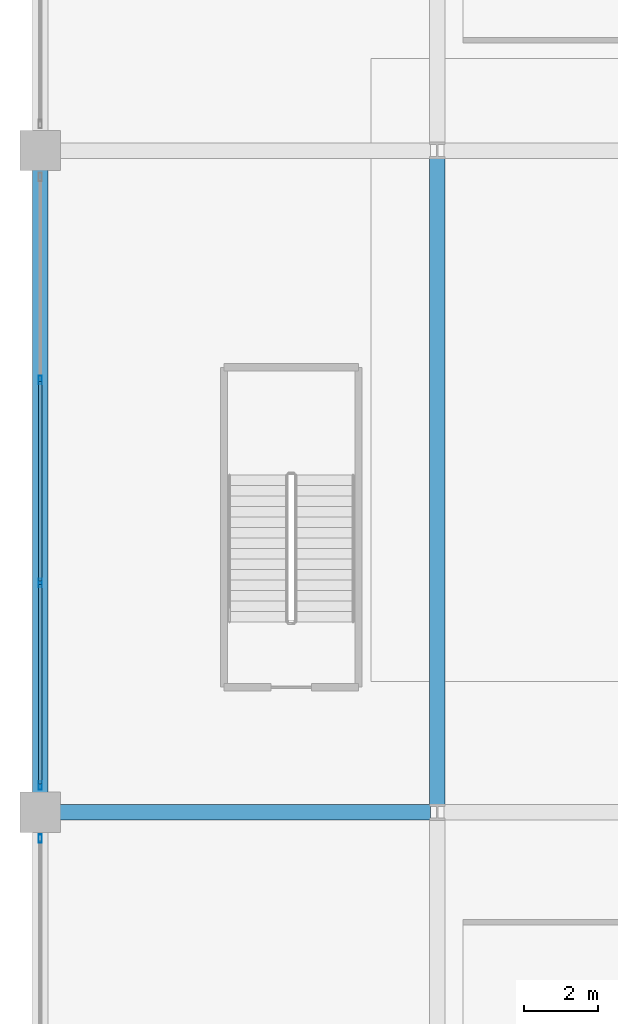
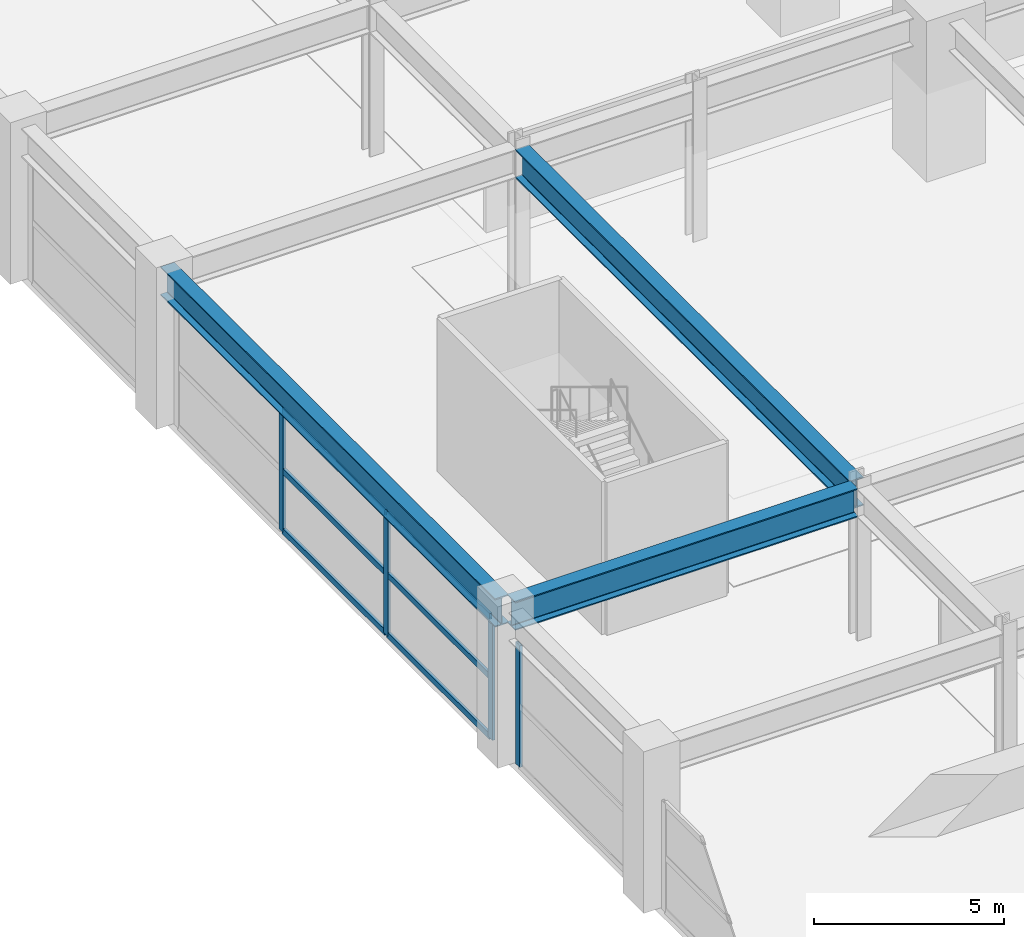
# One storey, part 9 of 45: 10 members, 3 beams, 2 elements without a shape of their own.
"""IFC4 building model written with IfcOpenShell, lengths in metres."""

from ifc_helpers import new_model, si_unit, direction, frame, origin, origin_2d, place, context, subcontext, project, spatial, hollow_rectangle, i_section, extrude, material, material_profile, profile_set, type_object, element, aggregate, save


model = new_model("IFC4")

# Units and contexts
model_context = context("Model", 3, precision=1e-05, world=origin(), true_north=direction((0.0, 1.0)))
body_context = subcontext(model_context, "Body", "Model", "MODEL_VIEW")
ifc_project = project(units=[si_unit("LENGTHUNIT", "METRE"), si_unit("AREAUNIT", "SQUARE_METRE"), si_unit("VOLUMEUNIT", "CUBIC_METRE"), si_unit("PLANEANGLEUNIT", "RADIAN"), si_unit("MASSUNIT", "GRAM", prefix="KILO")], contexts=[model_context])

# Site, building, storey
site_placement = place(None, origin())
site = spatial("IfcSite", under=ifc_project, at=site_placement, CompositionType="ELEMENT")
building_placement = place(site_placement, origin())
building = spatial("IfcBuilding", under=site, at=building_placement, Name="Kovane Verandah Tower", CompositionType="ELEMENT")
storey_placement = place(building_placement, frame((0.0, 0.0, 6.0)))
storey = spatial("IfcBuildingStorey", under=building, at=storey_placement, Name="L01", CompositionType="ELEMENT", Elevation=6.0)

# Beams
ifc_material_1 = material(Name="Steel S460", Category="steel")
ifc_material_profile_1 = material_profile(ifc_material_1, i_section(OverallWidth=0.42041015625, OverallDepth=0.9208984375, WebThickness=0.021484375, FlangeThickness=0.03662109375, FilletRadius=0.024169921875, at=origin_2d()), Name="UB914x419x388")
ifc_profile_set_1 = profile_set([ifc_material_profile_1], Name="Steel S460")
beam_type = type_object("IfcBeamType", Name="BM-UB914x388", PredefinedType="BEAM", material=ifc_profile_set_1)
beam_placement = place(storey_placement, frame((-1.820068359375, 18.5, 4.439453125), z_axis=(1.0, 0.0, 0.0), x_axis=(0.0, 1.0, 0.0)))
element("IfcBeam", 1, at=beam_placement, inside=storey, type_object=beam_type, Name="L01 Podium Grid Girder X05", PredefinedType="BEAM", context=body_context, shape_type="SweptSolid", body=[
    extrude(i_section(OverallWidth=0.42041015625, OverallDepth=0.9208984375, WebThickness=0.021484375, FlangeThickness=0.03662109375, FilletRadius=0.024169921875, at=origin_2d()), origin(), (0.0, 0.0, 1.0), 10.440185546875),
])
for number, where, z_axis, x_axis, name in (
    (2, (-2.0, 18.679931640625, 4.439453125), (0.0, 1.0, 0.0), (-1.0, 0.0, 0.0), "L01 Podium Grid Girder Y25"),
    (3, (8.800048828125, 18.679931640625, 4.439453125), (0.0, 1.0, 0.0), (-1.0, 0.0, 0.0), "L01 Podium Grid Girder Y29"),
):
    element("IfcBeam", number, at=place(storey_placement, frame(where, z_axis=z_axis, x_axis=x_axis)), inside=storey, type_object=beam_type, Name=name, PredefinedType="BEAM", context=body_context, shape_type="SweptSolid", body=[
        extrude(i_section(OverallWidth=0.42041015625, OverallDepth=0.9208984375, WebThickness=0.021484375, FlangeThickness=0.03662109375, FilletRadius=0.024169921875, at=origin_2d()), origin(), (0.0, 0.0, 1.0), 17.64013671875),
    ])

# Curtain wall, member
ifc_material_2 = material(Name="Champagne Anodised Aluminium Frame with Low-E Clear Laminated Glass", Category="aluminium")
curtain_wall_type = type_object("IfcCurtainWallType", Name="CW-SYS-01-POD", PredefinedType="NOTDEFINED", material=ifc_material_2)
curtain_wall_1_placement = place(storey_placement, origin())
curtain_wall_1 = element("IfcCurtainWall", 4, at=curtain_wall_1_placement, inside=storey, type_object=curtain_wall_type, Name="L01 West Podium Curtain Wall Bay 2", PredefinedType="NOTDEFINED")
ifc_material_3 = material(Name="Champagne Anodised Aluminium 6063-T6", Category="aluminium")
ifc_material_profile_2 = material_profile(ifc_material_3, hollow_rectangle(XDim=0.0849609375, YDim=0.22998046875, WallThickness=0.00390625, at=origin_2d()), Name="AL85x230x4")
ifc_profile_set_2 = profile_set([ifc_material_profile_2], Name="Champagne Anodised Aluminium 6063-T6")
member_type_1 = type_object("IfcMemberType", Name="CW-MUL-85x230", PredefinedType="MULLION", material=ifc_profile_set_2)
member_1_placement = place(storey_placement, frame((-2.0, 17.780029296875, 0.02001953125), z_axis=(0.0, 0.0, 1.0), x_axis=(-1.0, 0.0, 0.0)))
member_1 = element("IfcMember", 5, at=member_1_placement, type_object=member_type_1, Name="L01 West Podium Curtain Wall Bay 2 Mullion 1", PredefinedType="MULLION", context=body_context, shape_type="SweptSolid", body=[
    extrude(hollow_rectangle(XDim=0.0849609375, YDim=0.22998046875, WallThickness=0.00390625, at=origin_2d()), origin(), (0.0, 0.0, 1.0), 3.9189453125),
])
aggregate(curtain_wall_1, [member_1])

# Curtain wall, members
curtain_wall_2_placement = place(storey_placement, origin())
curtain_wall_2 = element("IfcCurtainWall", 6, at=curtain_wall_2_placement, inside=storey, type_object=curtain_wall_type, Name="L01 West Podium Curtain Wall Bay 3", PredefinedType="NOTDEFINED")
member_2_placement = place(storey_placement, frame((-2.0, 30.260009765625, 0.02001953125), z_axis=(0.0, 0.0, 1.0), x_axis=(-1.0, 0.0, 0.0)))
member_2 = element("IfcMember", 7, at=member_2_placement, type_object=member_type_1, Name="L01 West Podium Curtain Wall Bay 3 Mullion 2", PredefinedType="MULLION", context=body_context, shape_type="SweptSolid", body=[
    extrude(hollow_rectangle(XDim=0.0849609375, YDim=0.22998046875, WallThickness=0.00390625, at=origin_2d()), origin(), (0.0, 0.0, 1.0), 3.9189453125),
])
member_3_placement = place(storey_placement, frame((-2.0, 24.739990234375, 0.02001953125), z_axis=(0.0, 0.0, 1.0), x_axis=(-1.0, 0.0, 0.0)))
member_3 = element("IfcMember", 8, at=member_3_placement, type_object=member_type_1, Name="L01 West Podium Curtain Wall Bay 3 Mullion 3", PredefinedType="MULLION", context=body_context, shape_type="SweptSolid", body=[
    extrude(hollow_rectangle(XDim=0.0849609375, YDim=0.22998046875, WallThickness=0.00390625, at=origin_2d()), origin(), (0.0, 0.0, 1.0), 3.9189453125),
])
member_4_placement = place(storey_placement, frame((-2.0, 19.219970703125, 0.02001953125), z_axis=(0.0, 0.0, 1.0), x_axis=(-1.0, 0.0, 0.0)))
member_4 = element("IfcMember", 9, at=member_4_placement, type_object=member_type_1, Name="L01 West Podium Curtain Wall Bay 3 Mullion 4", PredefinedType="MULLION", context=body_context, shape_type="SweptSolid", body=[
    extrude(hollow_rectangle(XDim=0.0849609375, YDim=0.22998046875, WallThickness=0.00390625, at=origin_2d()), origin(), (0.0, 0.0, 1.0), 3.9189453125),
])
ifc_material_profile_3 = material_profile(ifc_material_3, hollow_rectangle(XDim=0.0849609375, YDim=0.18994140625, WallThickness=0.00390625, at=origin_2d()), Name="AL85x190x4")
ifc_profile_set_3 = profile_set([ifc_material_profile_3], Name="Champagne Anodised Aluminium 6063-T6")
member_type_2 = type_object("IfcMemberType", Name="CW-TRN-85x190", PredefinedType="USERDEFINED", material=ifc_profile_set_3)
member_5_placement = place(storey_placement, frame((-2.0, 30.2099609375, 0.050048828125), z_axis=(0.0, -1.0, 0.0), x_axis=(1.0, 0.0, 0.0)))
member_5 = element("IfcMember", 10, at=member_5_placement, type_object=member_type_2, Name="L01 West Podium Curtain Wall Bay 3 Transom TB Bay 2", ObjectType="TRANSOM", PredefinedType="USERDEFINED", context=body_context, shape_type="SweptSolid", body=[
    extrude(hollow_rectangle(XDim=0.0849609375, YDim=0.18994140625, WallThickness=0.00390625, at=origin_2d()), origin(), (0.0, 0.0, 1.0), 5.419921875),
])
member_6_placement = place(storey_placement, frame((-2.0, 30.2099609375, 1.9794921875), z_axis=(0.0, -1.0, 0.0), x_axis=(1.0, 0.0, 0.0)))
member_6 = element("IfcMember", 11, at=member_6_placement, type_object=member_type_2, Name="L01 West Podium Curtain Wall Bay 3 Transom TM Bay 2", ObjectType="TRANSOM", PredefinedType="USERDEFINED", context=body_context, shape_type="SweptSolid", body=[
    extrude(hollow_rectangle(XDim=0.0849609375, YDim=0.18994140625, WallThickness=0.00390625, at=origin_2d()), origin(), (0.0, 0.0, 1.0), 5.419921875),
])
member_7_placement = place(storey_placement, frame((-2.0, 30.2099609375, 3.908935546875), z_axis=(0.0, -1.0, 0.0), x_axis=(1.0, 0.0, 0.0)))
member_7 = element("IfcMember", 12, at=member_7_placement, type_object=member_type_2, Name="L01 West Podium Curtain Wall Bay 3 Transom TT Bay 2", ObjectType="TRANSOM", PredefinedType="USERDEFINED", context=body_context, shape_type="SweptSolid", body=[
    extrude(hollow_rectangle(XDim=0.0849609375, YDim=0.18994140625, WallThickness=0.00390625, at=origin_2d()), origin(), (0.0, 0.0, 1.0), 5.419921875),
])
member_8_placement = place(storey_placement, frame((-2.0, 24.68994140625, 0.050048828125), z_axis=(0.0, -1.0, 0.0), x_axis=(1.0, 0.0, 0.0)))
member_8 = element("IfcMember", 13, at=member_8_placement, type_object=member_type_2, Name="L01 West Podium Curtain Wall Bay 3 Transom TB Bay 3", ObjectType="TRANSOM", PredefinedType="USERDEFINED", context=body_context, shape_type="SweptSolid", body=[
    extrude(hollow_rectangle(XDim=0.0849609375, YDim=0.18994140625, WallThickness=0.00390625, at=origin_2d()), origin(), (0.0, 0.0, 1.0), 5.419921875),
])
member_9_placement = place(storey_placement, frame((-2.0, 24.68994140625, 1.9794921875), z_axis=(0.0, -1.0, 0.0), x_axis=(1.0, 0.0, 0.0)))
member_9 = element("IfcMember", 14, at=member_9_placement, type_object=member_type_2, Name="L01 West Podium Curtain Wall Bay 3 Transom TM Bay 3", ObjectType="TRANSOM", PredefinedType="USERDEFINED", context=body_context, shape_type="SweptSolid", body=[
    extrude(hollow_rectangle(XDim=0.0849609375, YDim=0.18994140625, WallThickness=0.00390625, at=origin_2d()), origin(), (0.0, 0.0, 1.0), 5.419921875),
])
member_10_placement = place(storey_placement, frame((-2.0, 24.68994140625, 3.908935546875), z_axis=(0.0, -1.0, 0.0), x_axis=(1.0, 0.0, 0.0)))
member_10 = element("IfcMember", 15, at=member_10_placement, type_object=member_type_2, Name="L01 West Podium Curtain Wall Bay 3 Transom TT Bay 3", ObjectType="TRANSOM", PredefinedType="USERDEFINED", context=body_context, shape_type="SweptSolid", body=[
    extrude(hollow_rectangle(XDim=0.0849609375, YDim=0.18994140625, WallThickness=0.00390625, at=origin_2d()), origin(), (0.0, 0.0, 1.0), 5.419921875),
])
aggregate(curtain_wall_2, [member_2, member_3, member_4, member_5, member_6, member_7, member_8, member_9, member_10])

save(model, "model.ifc")
